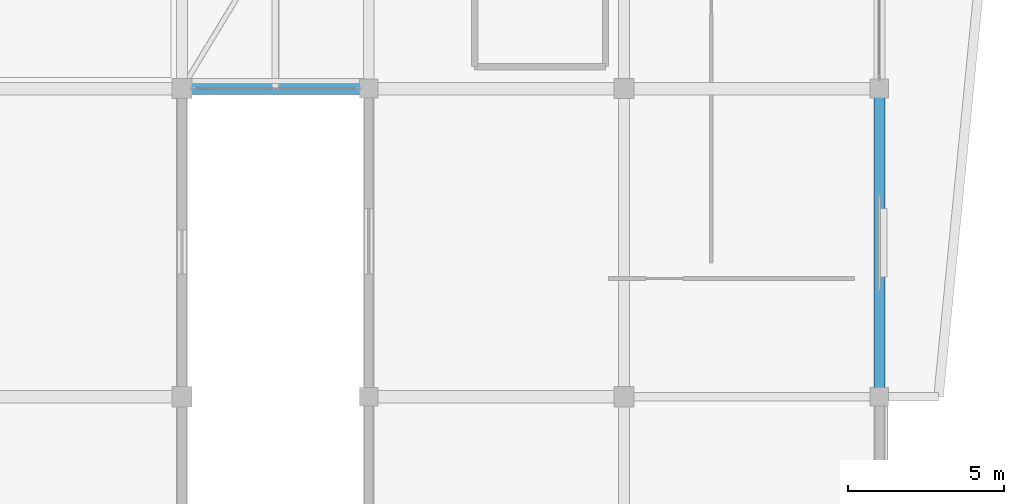
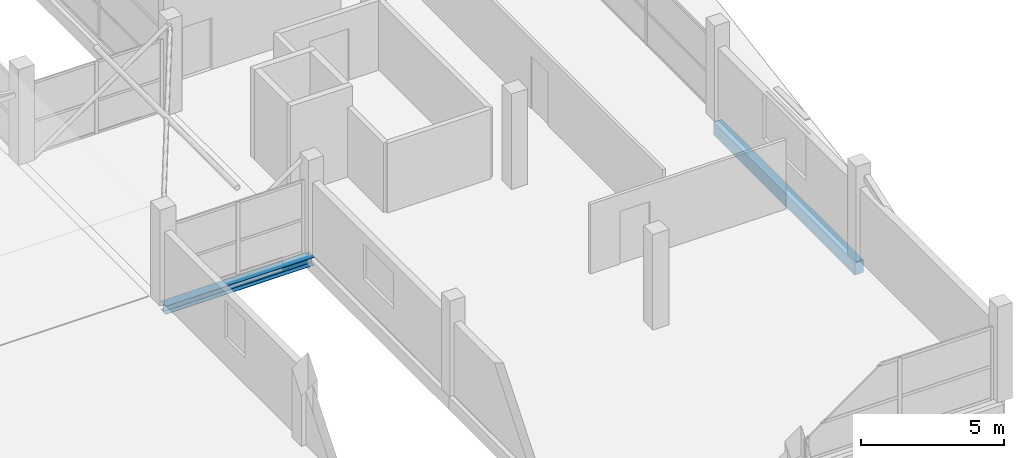
# One storey, part 15 of 66: 2 beams.
"""IFC4 building model written with IfcOpenShell, lengths in metres."""

from ifc_helpers import new_model, si_unit, direction, frame, origin, origin_2d, place, context, subcontext, project, spatial, rectangle, i_section, extrude, material, material_profile, profile_set, type_object, element, save


model = new_model("IFC4")

# Units and contexts
model_context = context("Model", 3, precision=1e-05, world=origin(), true_north=direction((0.0, 1.0)))
body_context = subcontext(model_context, "Body", "Model", "MODEL_VIEW")
ifc_project = project(units=[si_unit("LENGTHUNIT", "METRE"), si_unit("AREAUNIT", "SQUARE_METRE"), si_unit("VOLUMEUNIT", "CUBIC_METRE"), si_unit("PLANEANGLEUNIT", "RADIAN"), si_unit("MASSUNIT", "GRAM", prefix="KILO")], contexts=[model_context])

# Site, building, storey
site_placement = place(None, origin())
site = spatial("IfcSite", under=ifc_project, at=site_placement, CompositionType="ELEMENT")
building_placement = place(site_placement, origin())
building = spatial("IfcBuilding", under=site, at=building_placement, Name="Sillaruma Civic Art Gallery", CompositionType="ELEMENT")
storey_placement = place(building_placement, frame((0.0, 0.0, 62.219970703125)))
storey = spatial("IfcBuildingStorey", under=building, at=storey_placement, Name="L12", CompositionType="ELEMENT", Elevation=62.219970703125)

# Beams
ifc_material_1 = material(Name="Structural Steel ASTM A992 Gr.50", Category="steel")
ifc_material_profile_1 = material_profile(ifc_material_1, i_section(OverallWidth=0.368896484375, OverallDepth=0.35595703125, WebThickness=0.01123046875, FlangeThickness=0.01806640625, FilletRadius=0.014892578125, at=origin_2d()), Name="W360x134")
ifc_profile_set_1 = profile_set([ifc_material_profile_1], Name="Structural Steel ASTM A992 Gr.50")
beam_type_1 = type_object("IfcBeamType", Name="BM-BRIDGE-W360x134", PredefinedType="SPANDREL", material=ifc_profile_set_1)
beam_1_placement = place(storey_placement, frame((92.0, 39.60009765625, -0.387939453125), z_axis=(1.0, 0.0, 0.0), x_axis=(0.0, 1.0, 0.0)))
element("IfcBeam", 1, at=beam_1_placement, inside=storey, type_object=beam_type_1, Name="Sky-Bridge Steel Edge Girder (BRG-S:L12:S)", PredefinedType="SPANDREL", context=body_context, shape_type="SweptSolid", body=[
    extrude(i_section(OverallWidth=0.368896484375, OverallDepth=0.35595703125, WebThickness=0.01123046875, FlangeThickness=0.01806640625, FilletRadius=0.014892578125, at=origin_2d()), origin(), (0.0, 0.0, 1.0), 6.0),
])
ifc_material_2 = material(Name="Concrete H35 (35 MPa)", Category="concrete")
ifc_material_profile_2 = material_profile(ifc_material_2, rectangle(XDim=0.35009765625, YDim=0.550048828125, at=origin_2d()), Name="RCB350x550")
ifc_profile_set_2 = profile_set([ifc_material_profile_2], Name="Concrete H35 (35 MPa)")
beam_type_2 = type_object("IfcBeamType", Name="BM-SPANDREL-RCB350x550", PredefinedType="SPANDREL", material=ifc_profile_set_2)
beam_2_placement = place(storey_placement, frame((114.39990234375, 29.699951171875, -0.5048828125), z_axis=(0.0, 1.0, 0.0), x_axis=(-1.0, 0.0, 0.0)))
element("IfcBeam", 2, at=beam_2_placement, inside=storey, type_object=beam_type_2, Name="Beam BS-04 (L11:N:4-5)", PredefinedType="SPANDREL", context=body_context, shape_type="SweptSolid", body=[
    extrude(rectangle(XDim=0.35009765625, YDim=0.550048828125, at=origin_2d()), origin(), (0.0, 0.0, 1.0), 9.900146484375),
])

save(model, "model.ifc")
